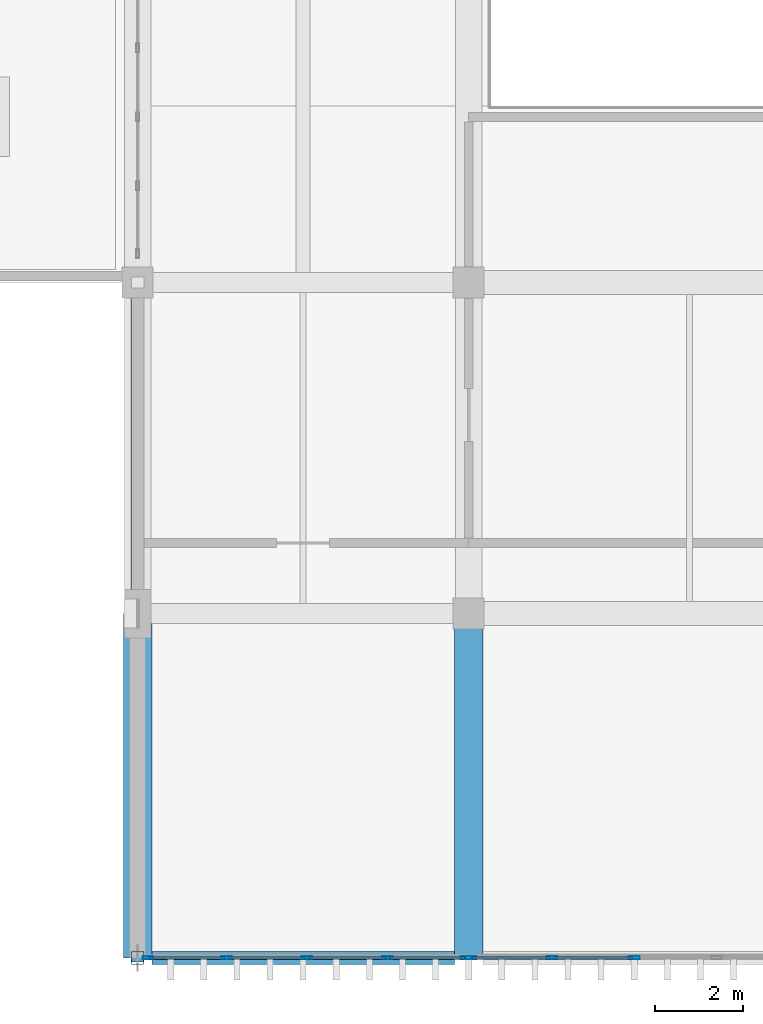
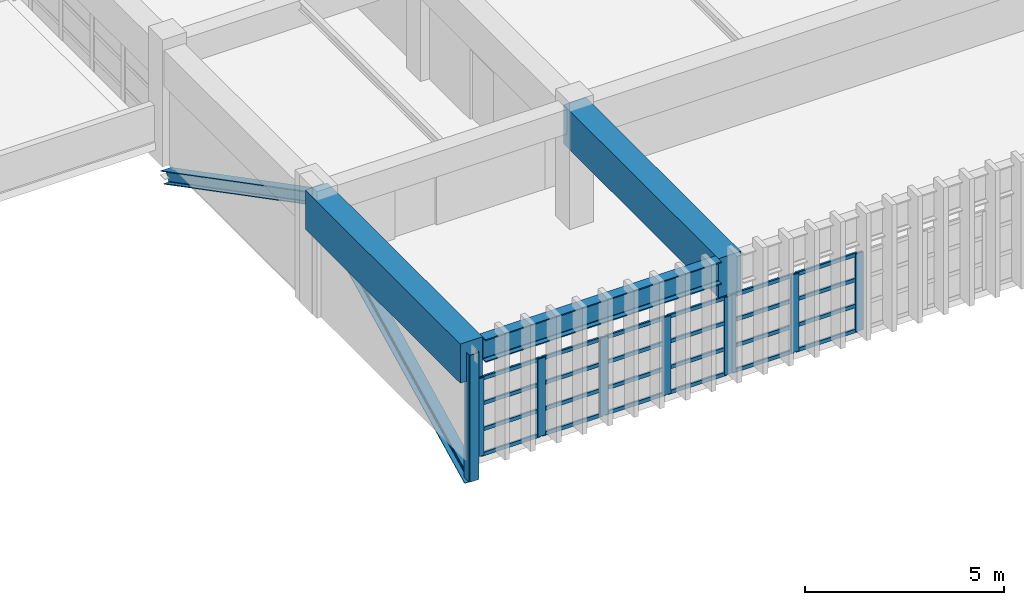
# One storey, part 13 of 82: 35 members, 3 beams, 2 elements without a shape of their own.
"""IFC4 building model written with IfcOpenShell, lengths in metres."""

from ifc_helpers import new_model, si_unit, direction, frame, origin, origin_2d, place, context, subcontext, project, spatial, rectangle, hollow_rectangle, i_section, extrude, material, material_profile, profile_set, type_object, element, aggregate, save


model = new_model("IFC4")

# Units and contexts
model_context = context("Model", 3, precision=1e-05, world=origin(), true_north=direction((0.0, 1.0)))
body_context = subcontext(model_context, "Body", "Model", "MODEL_VIEW")
ifc_project = project(units=[si_unit("LENGTHUNIT", "METRE"), si_unit("AREAUNIT", "SQUARE_METRE"), si_unit("VOLUMEUNIT", "CUBIC_METRE"), si_unit("PLANEANGLEUNIT", "RADIAN"), si_unit("MASSUNIT", "GRAM", prefix="KILO")], contexts=[model_context])

# Site, building, storey
site_placement = place(None, origin())
site = spatial("IfcSite", under=ifc_project, at=site_placement, CompositionType="ELEMENT")
building_placement = place(site_placement, origin())
building = spatial("IfcBuilding", under=site, at=building_placement, Name="Qasida Concert Hall", CompositionType="ELEMENT")
storey_placement = place(building_placement, frame((0.0, 0.0, 17.10009765625)))
storey = spatial("IfcBuildingStorey", under=building, at=storey_placement, Name="L04", CompositionType="ELEMENT", Elevation=17.10009765625)

# Beams
ifc_material_1 = material(Name="Steel S355J2", Category="steel")
ifc_material_profile_1 = material_profile(ifc_material_1, i_section(OverallWidth=0.300048828125, OverallDepth=0.699951171875, WebThickness=0.01708984375, FlangeThickness=0.031982421875, FilletRadius=0.027099609375, at=origin_2d()), Name="HEB 700")
ifc_profile_set_1 = profile_set([ifc_material_profile_1], Name="Steel S355J2")
beam_type_1 = type_object("IfcBeamType", Name="BM-B7", PredefinedType="BEAM", material=ifc_profile_set_1)
beam_placement = place(storey_placement, frame((52.824951171875, 14.699951171875, 3.27001953125), z_axis=(1.0, 0.0, 0.0), x_axis=(0.0, 1.0, 0.0)))
element("IfcBeam", 1, at=beam_placement, inside=storey, type_object=beam_type_1, Name="Front overhang fascia beam 026", PredefinedType="BEAM", context=body_context, shape_type="SweptSolid", body=[
    extrude(i_section(OverallWidth=0.300048828125, OverallDepth=0.699951171875, WebThickness=0.01708984375, FlangeThickness=0.031982421875, FilletRadius=0.027099609375, at=origin_2d()), origin(), (0.0, 0.0, 1.0), 6.85009765625),
])
ifc_material_2 = material(Name="Concrete C50/60", Category="concrete")
ifc_material_profile_2 = material_profile(ifc_material_2, rectangle(XDim=0.64990234375, YDim=1.199951171875, at=origin_2d()), Name="RC 650x1200")
ifc_profile_set_2 = profile_set([ifc_material_profile_2], Name="Concrete C50/60")
beam_type_2 = type_object("IfcBeamType", Name="BM-CG-1200", PredefinedType="USERDEFINED", material=ifc_profile_set_2)
for number, where, z_axis, x_axis, name in (
    (2, (52.5, 22.5, 3.02001953125), (0.0, -1.0, 0.0), (1.0, 0.0, 0.0), "Cantilever girder CG-022"),
    (3, (60.0, 22.5, 3.02001953125), (0.0, -1.0, 0.0), (1.0, 0.0, 0.0), "Cantilever girder CG-023"),
):
    element("IfcBeam", number, at=place(storey_placement, frame(where, z_axis=z_axis, x_axis=x_axis)), inside=storey, type_object=beam_type_2, Name=name, ObjectType="GIRDER", PredefinedType="USERDEFINED", context=body_context, shape_type="SweptSolid", body=[
        extrude(rectangle(XDim=0.64990234375, YDim=1.199951171875, at=origin_2d()), origin(), (0.0, 0.0, 1.0), 7.800048828125),
    ])

# Members
ifc_material_profile_3 = material_profile(ifc_material_1, i_section(OverallWidth=0.300048828125, OverallDepth=0.360107421875, WebThickness=0.012451171875, FlangeThickness=0.0224609375, FilletRadius=0.027099609375, at=origin_2d()), Name="HEB 360")
ifc_profile_set_3 = profile_set([ifc_material_profile_3], Name="Steel S355J2")
member_type_1 = type_object("IfcMemberType", Name="MB-BR1", PredefinedType="BRACE", material=ifc_profile_set_3)
member_1_placement = place(storey_placement, frame((52.5, 22.5, 3.2998046875), z_axis=(0.0, 0.8872215298, -0.461343643133), x_axis=(-1.0, 0.0, 0.0)))
element("IfcMember", 4, at=member_1_placement, inside=storey, type_object=member_type_1, Name="Wall truss backspan brace WT-W-012", PredefinedType="BRACE", context=body_context, shape_type="SweptSolid", body=[
    extrude(i_section(OverallWidth=0.300048828125, OverallDepth=0.360107421875, WebThickness=0.012451171875, FlangeThickness=0.0224609375, FilletRadius=0.027099609375, at=origin_2d()), origin(), (0.0, 0.0, 1.0), 8.453369140625),
])
ifc_material_profile_4 = material_profile(ifc_material_1, i_section(OverallWidth=0.300048828125, OverallDepth=0.39990234375, WebThickness=0.013427734375, FlangeThickness=0.02392578125, FilletRadius=0.027099609375, at=origin_2d()), Name="HEB 400")
ifc_profile_set_4 = profile_set([ifc_material_profile_4], Name="Steel S355J2")
member_type_2 = type_object("IfcMemberType", Name="MB-CH1", PredefinedType="CHORD", material=ifc_profile_set_4)
member_2_placement = place(storey_placement, frame((52.5, 22.5, 3.2998046875), z_axis=(0.0, -0.894432790058, -0.447202397208), x_axis=(1.0, 0.0, 0.0)))
element("IfcMember", 5, at=member_2_placement, inside=storey, type_object=member_type_2, Name="Wall truss diagonal WT-W-011", PredefinedType="CHORD", context=body_context, shape_type="SweptSolid", body=[
    extrude(i_section(OverallWidth=0.300048828125, OverallDepth=0.39990234375, WebThickness=0.013427734375, FlangeThickness=0.02392578125, FilletRadius=0.027099609375, at=origin_2d()), origin(), (0.0, 0.0, 1.0), 8.720703125),
])

# Curtain wall, members
ifc_material_3 = material(Name="Architectural bronze-anodized aluminium and low-E glass", Category="aluminium")
curtain_wall_type = type_object("IfcCurtainWallType", Name="CW-10", PredefinedType="NOTDEFINED", material=ifc_material_3)
curtain_wall_1_placement = place(storey_placement, origin())
curtain_wall_1 = element("IfcCurtainWall", 6, at=curtain_wall_1_placement, inside=storey, type_object=curtain_wall_type, Name="L04 curtain wall CW-10 0022", PredefinedType="NOTDEFINED")
ifc_material_4 = material(Name="Architectural bronze-anodized aluminium EN AW-6063", Category="aluminium")
ifc_material_profile_5 = material_profile(ifc_material_4, hollow_rectangle(XDim=0.070068359375, YDim=0.239990234375, WallThickness=0.0048828125, InnerFilletRadius=0.0048828125, OuterFilletRadius=0.010009765625, at=origin_2d()), Name="CWM 240x70x5")
ifc_profile_set_5 = profile_set([ifc_material_profile_5], Name="Architectural bronze-anodized aluminium EN AW-6063")
member_type_3 = type_object("IfcMemberType", Name="MB-CWM-1", PredefinedType="MULLION", material=ifc_profile_set_5)
member_3_placement = place(storey_placement, frame((52.735107421875, 14.699951171875, 0.0), z_axis=(0.0, 0.0, 1.0), x_axis=(0.0, 1.0, 0.0)))
member_3 = element("IfcMember", 7, at=member_3_placement, type_object=member_type_3, Name="CW-10 mullion 1", PredefinedType="MULLION", context=body_context, shape_type="SweptSolid", body=[
    extrude(hollow_rectangle(XDim=0.070068359375, YDim=0.239990234375, WallThickness=0.0048828125, InnerFilletRadius=0.0048828125, OuterFilletRadius=0.010009765625, at=origin_2d()), origin(), (0.0, 0.0, 1.0), 2.389892578125),
])
member_4_placement = place(storey_placement, frame((54.52001953125, 14.699951171875, 0.0), z_axis=(0.0, 0.0, 1.0), x_axis=(0.0, 1.0, 0.0)))
member_4 = element("IfcMember", 8, at=member_4_placement, type_object=member_type_3, Name="CW-10 mullion 2", PredefinedType="MULLION", context=body_context, shape_type="SweptSolid", body=[
    extrude(hollow_rectangle(XDim=0.070068359375, YDim=0.239990234375, WallThickness=0.0048828125, InnerFilletRadius=0.0048828125, OuterFilletRadius=0.010009765625, at=origin_2d()), origin(), (0.0, 0.0, 1.0), 2.389892578125),
])
member_5_placement = place(storey_placement, frame((56.340087890625, 14.699951171875, 0.0), z_axis=(0.0, 0.0, 1.0), x_axis=(0.0, 1.0, 0.0)))
member_5 = element("IfcMember", 9, at=member_5_placement, type_object=member_type_3, Name="CW-10 mullion 3", PredefinedType="MULLION", context=body_context, shape_type="SweptSolid", body=[
    extrude(hollow_rectangle(XDim=0.070068359375, YDim=0.239990234375, WallThickness=0.0048828125, InnerFilletRadius=0.0048828125, OuterFilletRadius=0.010009765625, at=origin_2d()), origin(), (0.0, 0.0, 1.0), 2.389892578125),
])
member_6_placement = place(storey_placement, frame((58.159912109375, 14.699951171875, 0.0), z_axis=(0.0, 0.0, 1.0), x_axis=(0.0, 1.0, 0.0)))
member_6 = element("IfcMember", 10, at=member_6_placement, type_object=member_type_3, Name="CW-10 mullion 4", PredefinedType="MULLION", context=body_context, shape_type="SweptSolid", body=[
    extrude(hollow_rectangle(XDim=0.070068359375, YDim=0.239990234375, WallThickness=0.0048828125, InnerFilletRadius=0.0048828125, OuterFilletRadius=0.010009765625, at=origin_2d()), origin(), (0.0, 0.0, 1.0), 2.389892578125),
])
member_7_placement = place(storey_placement, frame((59.945068359375, 14.699951171875, 0.0), z_axis=(0.0, 0.0, 1.0), x_axis=(0.0, 1.0, 0.0)))
member_7 = element("IfcMember", 11, at=member_7_placement, type_object=member_type_3, Name="CW-10 mullion 5", PredefinedType="MULLION", context=body_context, shape_type="SweptSolid", body=[
    extrude(hollow_rectangle(XDim=0.070068359375, YDim=0.239990234375, WallThickness=0.0048828125, InnerFilletRadius=0.0048828125, OuterFilletRadius=0.010009765625, at=origin_2d()), origin(), (0.0, 0.0, 1.0), 2.389892578125),
])

curtain_wall_2_placement = place(storey_placement, origin())
curtain_wall_2 = element("IfcCurtainWall", 12, at=curtain_wall_2_placement, inside=storey, type_object=curtain_wall_type, Name="L04 curtain wall CW-10 0023", PredefinedType="NOTDEFINED")
member_8_placement = place(storey_placement, frame((60.054931640625, 14.699951171875, 0.0), z_axis=(0.0, 0.0, 1.0), x_axis=(0.0, 1.0, 0.0)))
member_8 = element("IfcMember", 13, at=member_8_placement, type_object=member_type_3, Name="CW-10 mullion 1", PredefinedType="MULLION", context=body_context, shape_type="SweptSolid", body=[
    extrude(hollow_rectangle(XDim=0.070068359375, YDim=0.239990234375, WallThickness=0.0048828125, InnerFilletRadius=0.0048828125, OuterFilletRadius=0.010009765625, at=origin_2d()), origin(), (0.0, 0.0, 1.0), 2.389892578125),
])
member_9_placement = place(storey_placement, frame((61.885009765625, 14.699951171875, 0.0), z_axis=(0.0, 0.0, 1.0), x_axis=(0.0, 1.0, 0.0)))
member_9 = element("IfcMember", 14, at=member_9_placement, type_object=member_type_3, Name="CW-10 mullion 2", PredefinedType="MULLION", context=body_context, shape_type="SweptSolid", body=[
    extrude(hollow_rectangle(XDim=0.070068359375, YDim=0.239990234375, WallThickness=0.0048828125, InnerFilletRadius=0.0048828125, OuterFilletRadius=0.010009765625, at=origin_2d()), origin(), (0.0, 0.0, 1.0), 2.389892578125),
])
member_10_placement = place(storey_placement, frame((63.75, 14.699951171875, 0.0), z_axis=(0.0, 0.0, 1.0), x_axis=(0.0, 1.0, 0.0)))
member_10 = element("IfcMember", 15, at=member_10_placement, type_object=member_type_3, Name="CW-10 mullion 3", PredefinedType="MULLION", context=body_context, shape_type="SweptSolid", body=[
    extrude(hollow_rectangle(XDim=0.070068359375, YDim=0.239990234375, WallThickness=0.0048828125, InnerFilletRadius=0.0048828125, OuterFilletRadius=0.010009765625, at=origin_2d()), origin(), (0.0, 0.0, 1.0), 2.389892578125),
])

# Member
ifc_material_profile_6 = material_profile(ifc_material_4, hollow_rectangle(XDim=0.06005859375, YDim=0.1201171875, WallThickness=0.00390625, InnerFilletRadius=0.00390625, OuterFilletRadius=0.008056640625, at=origin_2d()), Name="CWT 120x60x4")
ifc_profile_set_6 = profile_set([ifc_material_profile_6], Name="Architectural bronze-anodized aluminium EN AW-6063")
member_type_4 = type_object("IfcMemberType", Name="MB-CWT-2", PredefinedType="USERDEFINED", material=ifc_profile_set_6)
member_11_placement = place(storey_placement, frame((52.77001953125, 14.699951171875, 0.02978515625), z_axis=(1.0, 0.0, 0.0), x_axis=(0.0, 1.0, 0.0)))
member_11 = element("IfcMember", 16, at=member_11_placement, type_object=member_type_4, Name="CW-10 transom 1.1", ObjectType="TRANSOM", PredefinedType="USERDEFINED", context=body_context, shape_type="SweptSolid", body=[
    extrude(hollow_rectangle(XDim=0.06005859375, YDim=0.1201171875, WallThickness=0.00390625, InnerFilletRadius=0.00390625, OuterFilletRadius=0.008056640625, at=origin_2d()), origin(), (0.0, 0.0, 1.0), 1.715087890625),
])

member_12_placement = place(storey_placement, frame((52.77001953125, 14.699951171875, 0.796630859375), z_axis=(1.0, 0.0, 0.0), x_axis=(0.0, 1.0, 0.0)))
member_12 = element("IfcMember", 17, at=member_12_placement, type_object=member_type_4, Name="CW-10 transom 1.2", ObjectType="TRANSOM", PredefinedType="USERDEFINED", context=body_context, shape_type="SweptSolid", body=[
    extrude(hollow_rectangle(XDim=0.06005859375, YDim=0.1201171875, WallThickness=0.00390625, InnerFilletRadius=0.00390625, OuterFilletRadius=0.008056640625, at=origin_2d()), origin(), (0.0, 0.0, 1.0), 1.715087890625),
])

member_13_placement = place(storey_placement, frame((52.77001953125, 14.699951171875, 1.59326171875), z_axis=(1.0, 0.0, 0.0), x_axis=(0.0, 1.0, 0.0)))
member_13 = element("IfcMember", 18, at=member_13_placement, type_object=member_type_4, Name="CW-10 transom 1.3", ObjectType="TRANSOM", PredefinedType="USERDEFINED", context=body_context, shape_type="SweptSolid", body=[
    extrude(hollow_rectangle(XDim=0.06005859375, YDim=0.1201171875, WallThickness=0.00390625, InnerFilletRadius=0.00390625, OuterFilletRadius=0.008056640625, at=origin_2d()), origin(), (0.0, 0.0, 1.0), 1.715087890625),
])

member_14_placement = place(storey_placement, frame((52.77001953125, 14.699951171875, 2.35986328125), z_axis=(1.0, 0.0, 0.0), x_axis=(0.0, 1.0, 0.0)))
member_14 = element("IfcMember", 19, at=member_14_placement, type_object=member_type_4, Name="CW-10 transom 1.4", ObjectType="TRANSOM", PredefinedType="USERDEFINED", context=body_context, shape_type="SweptSolid", body=[
    extrude(hollow_rectangle(XDim=0.06005859375, YDim=0.1201171875, WallThickness=0.00390625, InnerFilletRadius=0.00390625, OuterFilletRadius=0.008056640625, at=origin_2d()), origin(), (0.0, 0.0, 1.0), 1.715087890625),
])

member_15_placement = place(storey_placement, frame((54.554931640625, 14.699951171875, 0.02978515625), z_axis=(1.0, 0.0, 0.0), x_axis=(0.0, 1.0, 0.0)))
member_15 = element("IfcMember", 20, at=member_15_placement, type_object=member_type_4, Name="CW-10 transom 2.1", ObjectType="TRANSOM", PredefinedType="USERDEFINED", context=body_context, shape_type="SweptSolid", body=[
    extrude(hollow_rectangle(XDim=0.06005859375, YDim=0.1201171875, WallThickness=0.00390625, InnerFilletRadius=0.00390625, OuterFilletRadius=0.008056640625, at=origin_2d()), origin(), (0.0, 0.0, 1.0), 1.75),
])

member_16_placement = place(storey_placement, frame((54.554931640625, 14.699951171875, 0.796630859375), z_axis=(1.0, 0.0, 0.0), x_axis=(0.0, 1.0, 0.0)))
member_16 = element("IfcMember", 21, at=member_16_placement, type_object=member_type_4, Name="CW-10 transom 2.2", ObjectType="TRANSOM", PredefinedType="USERDEFINED", context=body_context, shape_type="SweptSolid", body=[
    extrude(hollow_rectangle(XDim=0.06005859375, YDim=0.1201171875, WallThickness=0.00390625, InnerFilletRadius=0.00390625, OuterFilletRadius=0.008056640625, at=origin_2d()), origin(), (0.0, 0.0, 1.0), 1.75),
])

member_17_placement = place(storey_placement, frame((54.554931640625, 14.699951171875, 1.59326171875), z_axis=(1.0, 0.0, 0.0), x_axis=(0.0, 1.0, 0.0)))
member_17 = element("IfcMember", 22, at=member_17_placement, type_object=member_type_4, Name="CW-10 transom 2.3", ObjectType="TRANSOM", PredefinedType="USERDEFINED", context=body_context, shape_type="SweptSolid", body=[
    extrude(hollow_rectangle(XDim=0.06005859375, YDim=0.1201171875, WallThickness=0.00390625, InnerFilletRadius=0.00390625, OuterFilletRadius=0.008056640625, at=origin_2d()), origin(), (0.0, 0.0, 1.0), 1.75),
])

member_18_placement = place(storey_placement, frame((54.554931640625, 14.699951171875, 2.35986328125), z_axis=(1.0, 0.0, 0.0), x_axis=(0.0, 1.0, 0.0)))
member_18 = element("IfcMember", 23, at=member_18_placement, type_object=member_type_4, Name="CW-10 transom 2.4", ObjectType="TRANSOM", PredefinedType="USERDEFINED", context=body_context, shape_type="SweptSolid", body=[
    extrude(hollow_rectangle(XDim=0.06005859375, YDim=0.1201171875, WallThickness=0.00390625, InnerFilletRadius=0.00390625, OuterFilletRadius=0.008056640625, at=origin_2d()), origin(), (0.0, 0.0, 1.0), 1.75),
])

member_19_placement = place(storey_placement, frame((56.375, 14.699951171875, 0.02978515625), z_axis=(1.0, 0.0, 0.0), x_axis=(0.0, 1.0, 0.0)))
member_19 = element("IfcMember", 24, at=member_19_placement, type_object=member_type_4, Name="CW-10 transom 3.1", ObjectType="TRANSOM", PredefinedType="USERDEFINED", context=body_context, shape_type="SweptSolid", body=[
    extrude(hollow_rectangle(XDim=0.06005859375, YDim=0.1201171875, WallThickness=0.00390625, InnerFilletRadius=0.00390625, OuterFilletRadius=0.008056640625, at=origin_2d()), origin(), (0.0, 0.0, 1.0), 1.75),
])

member_20_placement = place(storey_placement, frame((56.375, 14.699951171875, 0.796630859375), z_axis=(1.0, 0.0, 0.0), x_axis=(0.0, 1.0, 0.0)))
member_20 = element("IfcMember", 25, at=member_20_placement, type_object=member_type_4, Name="CW-10 transom 3.2", ObjectType="TRANSOM", PredefinedType="USERDEFINED", context=body_context, shape_type="SweptSolid", body=[
    extrude(hollow_rectangle(XDim=0.06005859375, YDim=0.1201171875, WallThickness=0.00390625, InnerFilletRadius=0.00390625, OuterFilletRadius=0.008056640625, at=origin_2d()), origin(), (0.0, 0.0, 1.0), 1.75),
])

member_21_placement = place(storey_placement, frame((56.375, 14.699951171875, 1.59326171875), z_axis=(1.0, 0.0, 0.0), x_axis=(0.0, 1.0, 0.0)))
member_21 = element("IfcMember", 26, at=member_21_placement, type_object=member_type_4, Name="CW-10 transom 3.3", ObjectType="TRANSOM", PredefinedType="USERDEFINED", context=body_context, shape_type="SweptSolid", body=[
    extrude(hollow_rectangle(XDim=0.06005859375, YDim=0.1201171875, WallThickness=0.00390625, InnerFilletRadius=0.00390625, OuterFilletRadius=0.008056640625, at=origin_2d()), origin(), (0.0, 0.0, 1.0), 1.75),
])

member_22_placement = place(storey_placement, frame((56.375, 14.699951171875, 2.35986328125), z_axis=(1.0, 0.0, 0.0), x_axis=(0.0, 1.0, 0.0)))
member_22 = element("IfcMember", 27, at=member_22_placement, type_object=member_type_4, Name="CW-10 transom 3.4", ObjectType="TRANSOM", PredefinedType="USERDEFINED", context=body_context, shape_type="SweptSolid", body=[
    extrude(hollow_rectangle(XDim=0.06005859375, YDim=0.1201171875, WallThickness=0.00390625, InnerFilletRadius=0.00390625, OuterFilletRadius=0.008056640625, at=origin_2d()), origin(), (0.0, 0.0, 1.0), 1.75),
])

member_23_placement = place(storey_placement, frame((58.195068359375, 14.699951171875, 0.02978515625), z_axis=(1.0, 0.0, 0.0), x_axis=(0.0, 1.0, 0.0)))
member_23 = element("IfcMember", 28, at=member_23_placement, type_object=member_type_4, Name="CW-10 transom 4.1", ObjectType="TRANSOM", PredefinedType="USERDEFINED", context=body_context, shape_type="SweptSolid", body=[
    extrude(hollow_rectangle(XDim=0.06005859375, YDim=0.1201171875, WallThickness=0.00390625, InnerFilletRadius=0.00390625, OuterFilletRadius=0.008056640625, at=origin_2d()), origin(), (0.0, 0.0, 1.0), 1.71484375),
])

member_24_placement = place(storey_placement, frame((58.195068359375, 14.699951171875, 0.796630859375), z_axis=(1.0, 0.0, 0.0), x_axis=(0.0, 1.0, 0.0)))
member_24 = element("IfcMember", 29, at=member_24_placement, type_object=member_type_4, Name="CW-10 transom 4.2", ObjectType="TRANSOM", PredefinedType="USERDEFINED", context=body_context, shape_type="SweptSolid", body=[
    extrude(hollow_rectangle(XDim=0.06005859375, YDim=0.1201171875, WallThickness=0.00390625, InnerFilletRadius=0.00390625, OuterFilletRadius=0.008056640625, at=origin_2d()), origin(), (0.0, 0.0, 1.0), 1.71484375),
])

member_25_placement = place(storey_placement, frame((58.195068359375, 14.699951171875, 1.59326171875), z_axis=(1.0, 0.0, 0.0), x_axis=(0.0, 1.0, 0.0)))
member_25 = element("IfcMember", 30, at=member_25_placement, type_object=member_type_4, Name="CW-10 transom 4.3", ObjectType="TRANSOM", PredefinedType="USERDEFINED", context=body_context, shape_type="SweptSolid", body=[
    extrude(hollow_rectangle(XDim=0.06005859375, YDim=0.1201171875, WallThickness=0.00390625, InnerFilletRadius=0.00390625, OuterFilletRadius=0.008056640625, at=origin_2d()), origin(), (0.0, 0.0, 1.0), 1.71484375),
])

member_26_placement = place(storey_placement, frame((58.195068359375, 14.699951171875, 2.35986328125), z_axis=(1.0, 0.0, 0.0), x_axis=(0.0, 1.0, 0.0)))
member_26 = element("IfcMember", 31, at=member_26_placement, type_object=member_type_4, Name="CW-10 transom 4.4", ObjectType="TRANSOM", PredefinedType="USERDEFINED", context=body_context, shape_type="SweptSolid", body=[
    extrude(hollow_rectangle(XDim=0.06005859375, YDim=0.1201171875, WallThickness=0.00390625, InnerFilletRadius=0.00390625, OuterFilletRadius=0.008056640625, at=origin_2d()), origin(), (0.0, 0.0, 1.0), 1.71484375),
])

aggregate(curtain_wall_1, [member_3, member_4, member_5, member_6, member_7, member_11, member_12, member_13, member_14, member_15, member_16, member_17, member_18, member_19, member_20, member_21, member_22, member_23, member_24, member_25, member_26])

member_27_placement = place(storey_placement, frame((60.090087890625, 14.699951171875, 0.02978515625), z_axis=(1.0, 0.0, 0.0), x_axis=(0.0, 1.0, 0.0)))
member_27 = element("IfcMember", 32, at=member_27_placement, type_object=member_type_4, Name="CW-10 transom 1.1", ObjectType="TRANSOM", PredefinedType="USERDEFINED", context=body_context, shape_type="SweptSolid", body=[
    extrude(hollow_rectangle(XDim=0.06005859375, YDim=0.1201171875, WallThickness=0.00390625, InnerFilletRadius=0.00390625, OuterFilletRadius=0.008056640625, at=origin_2d()), origin(), (0.0, 0.0, 1.0), 1.760009765625),
])

member_28_placement = place(storey_placement, frame((60.090087890625, 14.699951171875, 0.796630859375), z_axis=(1.0, 0.0, 0.0), x_axis=(0.0, 1.0, 0.0)))
member_28 = element("IfcMember", 33, at=member_28_placement, type_object=member_type_4, Name="CW-10 transom 1.2", ObjectType="TRANSOM", PredefinedType="USERDEFINED", context=body_context, shape_type="SweptSolid", body=[
    extrude(hollow_rectangle(XDim=0.06005859375, YDim=0.1201171875, WallThickness=0.00390625, InnerFilletRadius=0.00390625, OuterFilletRadius=0.008056640625, at=origin_2d()), origin(), (0.0, 0.0, 1.0), 1.760009765625),
])

member_29_placement = place(storey_placement, frame((60.090087890625, 14.699951171875, 1.59326171875), z_axis=(1.0, 0.0, 0.0), x_axis=(0.0, 1.0, 0.0)))
member_29 = element("IfcMember", 34, at=member_29_placement, type_object=member_type_4, Name="CW-10 transom 1.3", ObjectType="TRANSOM", PredefinedType="USERDEFINED", context=body_context, shape_type="SweptSolid", body=[
    extrude(hollow_rectangle(XDim=0.06005859375, YDim=0.1201171875, WallThickness=0.00390625, InnerFilletRadius=0.00390625, OuterFilletRadius=0.008056640625, at=origin_2d()), origin(), (0.0, 0.0, 1.0), 1.760009765625),
])

member_30_placement = place(storey_placement, frame((60.090087890625, 14.699951171875, 2.35986328125), z_axis=(1.0, 0.0, 0.0), x_axis=(0.0, 1.0, 0.0)))
member_30 = element("IfcMember", 35, at=member_30_placement, type_object=member_type_4, Name="CW-10 transom 1.4", ObjectType="TRANSOM", PredefinedType="USERDEFINED", context=body_context, shape_type="SweptSolid", body=[
    extrude(hollow_rectangle(XDim=0.06005859375, YDim=0.1201171875, WallThickness=0.00390625, InnerFilletRadius=0.00390625, OuterFilletRadius=0.008056640625, at=origin_2d()), origin(), (0.0, 0.0, 1.0), 1.760009765625),
])

member_31_placement = place(storey_placement, frame((61.919921875, 14.699951171875, 0.02978515625), z_axis=(1.0, 0.0, 0.0), x_axis=(0.0, 1.0, 0.0)))
member_31 = element("IfcMember", 36, at=member_31_placement, type_object=member_type_4, Name="CW-10 transom 2.1", ObjectType="TRANSOM", PredefinedType="USERDEFINED", context=body_context, shape_type="SweptSolid", body=[
    extrude(hollow_rectangle(XDim=0.06005859375, YDim=0.1201171875, WallThickness=0.00390625, InnerFilletRadius=0.00390625, OuterFilletRadius=0.008056640625, at=origin_2d()), origin(), (0.0, 0.0, 1.0), 1.795166015625),
])

member_32_placement = place(storey_placement, frame((61.919921875, 14.699951171875, 0.796630859375), z_axis=(1.0, 0.0, 0.0), x_axis=(0.0, 1.0, 0.0)))
member_32 = element("IfcMember", 37, at=member_32_placement, type_object=member_type_4, Name="CW-10 transom 2.2", ObjectType="TRANSOM", PredefinedType="USERDEFINED", context=body_context, shape_type="SweptSolid", body=[
    extrude(hollow_rectangle(XDim=0.06005859375, YDim=0.1201171875, WallThickness=0.00390625, InnerFilletRadius=0.00390625, OuterFilletRadius=0.008056640625, at=origin_2d()), origin(), (0.0, 0.0, 1.0), 1.795166015625),
])

member_33_placement = place(storey_placement, frame((61.919921875, 14.699951171875, 1.59326171875), z_axis=(1.0, 0.0, 0.0), x_axis=(0.0, 1.0, 0.0)))
member_33 = element("IfcMember", 38, at=member_33_placement, type_object=member_type_4, Name="CW-10 transom 2.3", ObjectType="TRANSOM", PredefinedType="USERDEFINED", context=body_context, shape_type="SweptSolid", body=[
    extrude(hollow_rectangle(XDim=0.06005859375, YDim=0.1201171875, WallThickness=0.00390625, InnerFilletRadius=0.00390625, OuterFilletRadius=0.008056640625, at=origin_2d()), origin(), (0.0, 0.0, 1.0), 1.795166015625),
])

member_34_placement = place(storey_placement, frame((61.919921875, 14.699951171875, 2.35986328125), z_axis=(1.0, 0.0, 0.0), x_axis=(0.0, 1.0, 0.0)))
member_34 = element("IfcMember", 39, at=member_34_placement, type_object=member_type_4, Name="CW-10 transom 2.4", ObjectType="TRANSOM", PredefinedType="USERDEFINED", context=body_context, shape_type="SweptSolid", body=[
    extrude(hollow_rectangle(XDim=0.06005859375, YDim=0.1201171875, WallThickness=0.00390625, InnerFilletRadius=0.00390625, OuterFilletRadius=0.008056640625, at=origin_2d()), origin(), (0.0, 0.0, 1.0), 1.795166015625),
])

aggregate(curtain_wall_2, [member_8, member_9, member_10, member_27, member_28, member_29, member_30, member_31, member_32, member_33, member_34])

ifc_material_profile_7 = material_profile(ifc_material_1, hollow_rectangle(XDim=0.300048828125, YDim=0.300048828125, WallThickness=0.01611328125, InnerFilletRadius=0.01611328125, OuterFilletRadius=0.031982421875, at=origin_2d()), Name="SHS 300x300x16")
ifc_profile_set_7 = profile_set([ifc_material_profile_7], Name="Steel S355J2")
member_type_5 = type_object("IfcMemberType", Name="MB-ST4", PredefinedType="STRUT", material=ifc_profile_set_7)
member_35_placement = place(storey_placement, frame((52.5, 14.699951171875, -0.60009765625), z_axis=(0.0, 0.0, 1.0), x_axis=(1.0, 0.0, 0.0)))
element("IfcMember", 40, at=member_35_placement, inside=storey, type_object=member_type_5, Name="Wall truss post WT-W-010", PredefinedType="STRUT", context=body_context, shape_type="SweptSolid", body=[
    extrude(hollow_rectangle(XDim=0.300048828125, YDim=0.300048828125, WallThickness=0.01611328125, InnerFilletRadius=0.01611328125, OuterFilletRadius=0.031982421875, at=origin_2d()), origin(), (0.0, 0.0, 1.0), 3.89990234375),
])

save(model, "model.ifc")
